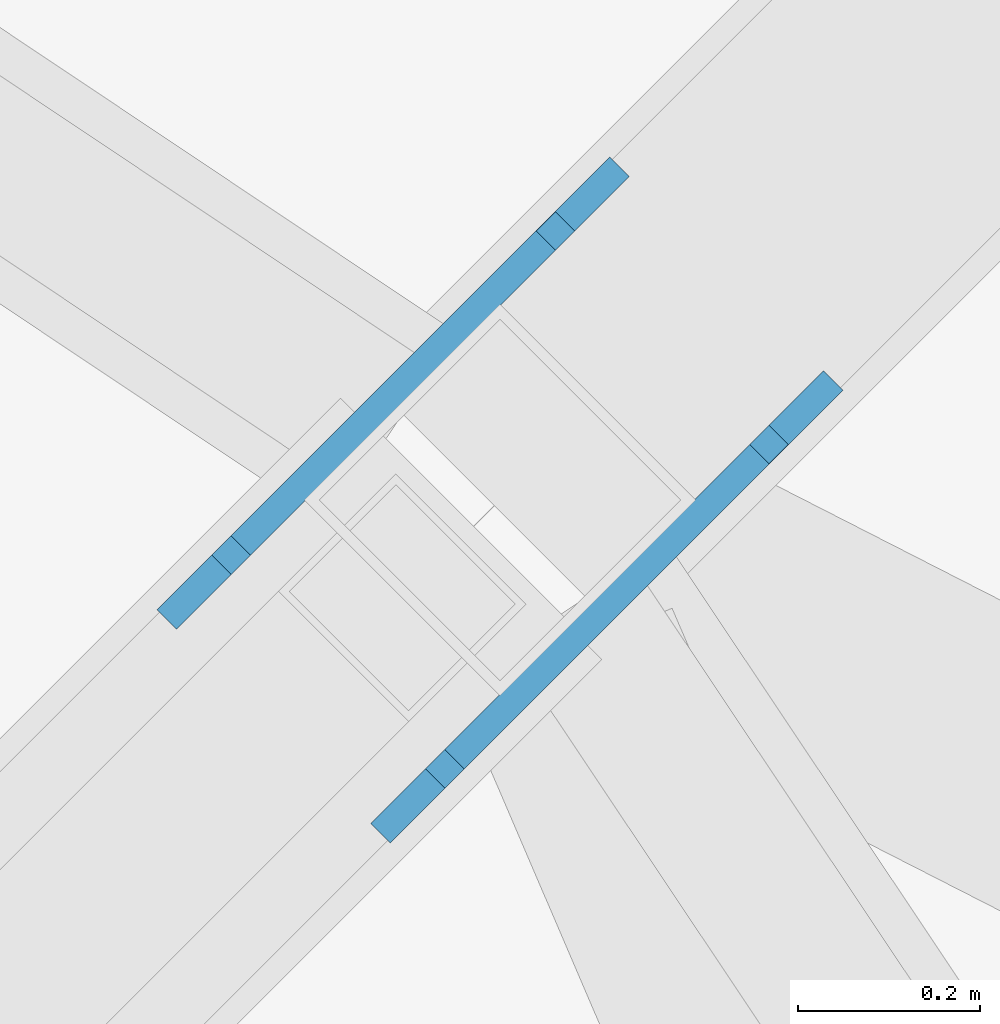
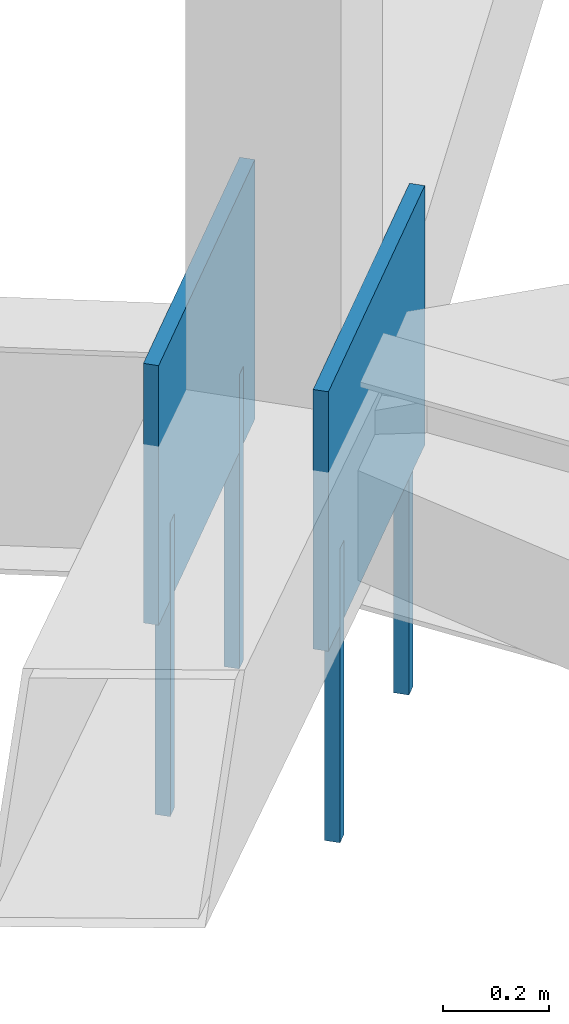
# One storey, part 260 of 278: 4 mechanical fasteners, 2 discrete accessories.
"""IFC4 building model written with IfcOpenShell, lengths in metres."""

from ifc_helpers import new_model, si_unit, direction, frame, origin, origin_2d, place, context, subcontext, project, spatial, rectangle, extrude, material, layer, layer_set, type_object, element, save


model = new_model("IFC4")

# Units and contexts
model_context = context("Model", 3, precision=1e-05, world=origin(), true_north=direction((0.0, 1.0)))
body_context = subcontext(model_context, "Body", "Model", "MODEL_VIEW")
ifc_project = project(units=[si_unit("LENGTHUNIT", "METRE"), si_unit("AREAUNIT", "SQUARE_METRE"), si_unit("VOLUMEUNIT", "CUBIC_METRE"), si_unit("PLANEANGLEUNIT", "RADIAN"), si_unit("MASSUNIT", "GRAM", prefix="KILO")], contexts=[model_context])

# Site, building, storey
site_placement = place(None, origin())
site = spatial("IfcSite", under=ifc_project, at=site_placement, CompositionType="ELEMENT")
building_placement = place(site_placement, origin())
building = spatial("IfcBuilding", under=site, at=building_placement, Name="Ogive Plaza Stadium", CompositionType="ELEMENT")
storey_placement = place(building_placement, frame((0.0, 0.0, 29.0)))
storey = spatial("IfcBuildingStorey", under=building, at=storey_placement, Name="Roof", CompositionType="ELEMENT", Elevation=29.0)

# Mechanical fasteners
ifc_material_1 = material(Name="Steel ASTM A992 Grade 50", Category="steel")
mechanical_fastener_type = type_object("IfcMechanicalFastenerType", Name="Anchor bolt M30 x 600", PredefinedType="ANCHORBOLT", material=ifc_material_1)
for number, where, z_axis, x_axis, name in (
    (1, (62.34521484375, 81.080322265625, -0.5), (0.0, 0.0, 1.0), (0.707106781187, 0.707106781187, 0.0), "ANCHOR BOLT 39 BP 1.1"),
    (2, (61.988037109375, 80.723388671875, -0.5), (0.0, 0.0, 1.0), (0.707106781187, 0.707106781187, 0.0), "ANCHOR BOLT 39 BP 1.2"),
    (3, (62.580322265625, 80.84521484375, -0.5), (0.0, 0.0, 1.0), (0.707106781187, 0.707106781187, 0.0), "ANCHOR BOLT 39 BP 2.1"),
    (4, (62.223388671875, 80.488037109375, -0.5), (0.0, 0.0, 1.0), (0.707106781187, 0.707106781187, 0.0), "ANCHOR BOLT 39 BP 2.2"),
):
    element("IfcMechanicalFastener", number, at=place(storey_placement, frame(where, z_axis=z_axis, x_axis=x_axis)), inside=storey, type_object=mechanical_fastener_type, Name=name, PredefinedType="ANCHORBOLT", context=body_context, shape_type="SweptSolid", body=[
        extrude(rectangle(XDim=0.030029296875, YDim=0.030029296875, at=origin_2d()), origin(), (0.0, 0.0, 1.0), 0.679931640625),
    ])

# Discrete accessories
ifc_material_2 = material(Name="Steel ASTM A992 Grade 50", Category="steel")
ifc_layer = layer(ifc_material_2, 0.030029296875)
ifc_layer_set = layer_set([ifc_layer], Name="Steel ASTM A992 Grade 50")
discrete_accessory_type = type_object("IfcDiscreteAccessoryType", Name="Truss root foot cleat plate 30", PredefinedType="ANCHORPLATE", material=ifc_layer_set)
for number, where, z_axis, x_axis, name in (
    (5, (62.16650390625, 80.90185546875, 0.0), (0.0, 0.0, 1.0), (0.707106781187, 0.707106781187, 0.0), "TRUSS ROOT FOOT CLEAT PLATE 39 1"),
    (6, (62.40185546875, 80.66650390625, 0.0), (0.0, 0.0, 1.0), (0.707106781187, 0.707106781187, 0.0), "TRUSS ROOT FOOT CLEAT PLATE 39 2"),
):
    element("IfcDiscreteAccessory", number, at=place(storey_placement, frame(where, z_axis=z_axis, x_axis=x_axis)), inside=storey, type_object=discrete_accessory_type, Name=name, PredefinedType="ANCHORPLATE", context=body_context, shape_type="SweptSolid", body=[
        extrude(rectangle(XDim=0.704833984375, YDim=0.030029296875, at=origin_2d()), origin(), (0.0, 0.0, 1.0), 0.60009765625),
    ])

save(model, "model.ifc")
